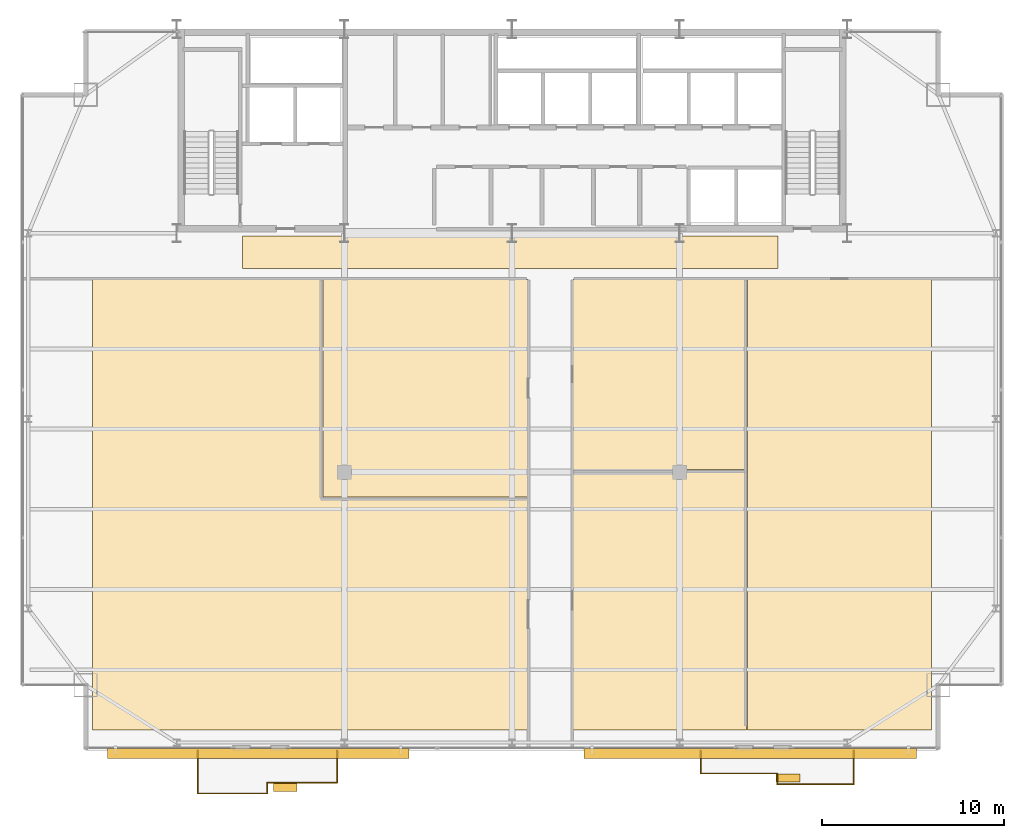
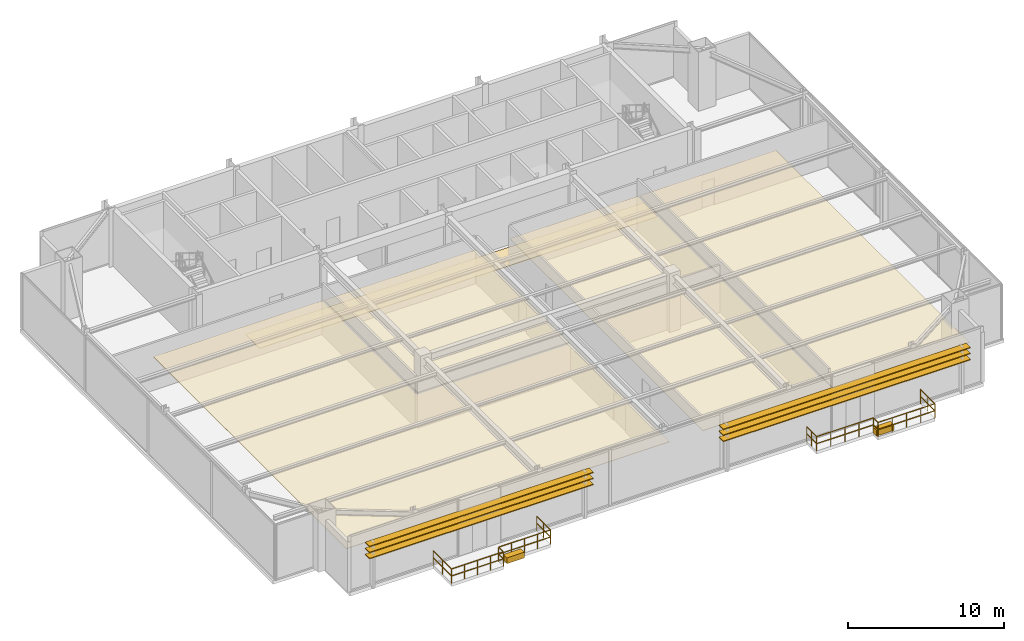
# One storey, part 24 of 25: 10 railings, 8 coverings, 6 shading devices.
"""IFC4 building model written with IfcOpenShell, lengths in metres."""

from ifc_helpers import new_model, si_unit, direction, frame, origin, origin_2d, place, context, subcontext, project, spatial, polyline, rectangle, outline, extrude, source, transform, mapped, material, layer, layer_set, type_object, type_shapes, element, save


model = new_model("IFC4")

# Units and contexts
model_context = context("Model", 3, precision=1e-05, world=origin(), true_north=direction((0.0, 1.0)))
body_context = subcontext(model_context, "Body", "Model", "MODEL_VIEW")
ifc_project = project(units=[si_unit("LENGTHUNIT", "METRE"), si_unit("AREAUNIT", "SQUARE_METRE"), si_unit("VOLUMEUNIT", "CUBIC_METRE"), si_unit("PLANEANGLEUNIT", "RADIAN"), si_unit("MASSUNIT", "GRAM", prefix="KILO")], contexts=[model_context])

# Site, building, storey
site_placement = place(None, origin())
site = spatial("IfcSite", under=ifc_project, at=site_placement, CompositionType="ELEMENT")
building_placement = place(site_placement, origin())
building = spatial("IfcBuilding", under=site, at=building_placement, Name="Varnel Quay Broadcast Tower", CompositionType="ELEMENT")
storey_placement = place(building_placement, frame((0.0, 0.0, 191.39990234375)))
storey = spatial("IfcBuildingStorey", under=building, at=storey_placement, Name="L47", CompositionType="ELEMENT", Elevation=191.39990234375)

# Coverings
ifc_material_1 = material(Name="Micro-Perforated Acoustic Ceiling Tile")
ifc_layer_1 = layer(ifc_material_1, 0.0400390625, Name="Micro-Perforated Acoustic Ceiling Tile")
ifc_layer_set_1 = layer_set([ifc_layer_1], Name="Micro-Perforated Acoustic Ceiling Tile")
covering_type_1 = type_object("IfcCoveringType", Name="Cov_AcousticCeiling", PredefinedType="CEILING", material=ifc_layer_set_1)
covering_1_placement = place(storey_placement, frame((0.0, 0.0, 2.580078125)))
element("IfcCovering", 1, at=covering_1_placement, inside=storey, type_object=covering_type_1, Name="L47 Mid-to-High Sky Transfer Hall Acoustic Ceiling", PredefinedType="CEILING", context=body_context, shape_type="SweptSolid", body=[
    extrude(outline(polyline([(10.985107421875, 8.324951171875), (34.864990234375, 8.324951171875), (34.864990234375, 21.06494140625), (23.56494140625, 21.06494140625), (23.56494140625, 33.06494140625), (10.985107421875, 33.06494140625), (10.985107421875, 8.324951171875)])), origin(), (0.0, 0.0, 1.0), 0.0400390625),
])
covering_2_placement = place(storey_placement, frame((0.0, 0.0, 2.580078125)))
element("IfcCovering", 2, at=covering_2_placement, inside=storey, type_object=covering_type_1, Name="L47 Executive Broadcast Forum Acoustic Ceiling", PredefinedType="CEILING", context=body_context, shape_type="SweptSolid", body=[
    extrude(outline(polyline([(23.635009765625, 21.135009765625), (34.864990234375, 21.135009765625), (34.864990234375, 33.06494140625), (23.635009765625, 33.06494140625), (23.635009765625, 21.135009765625)])), origin(), (0.0, 0.0, 1.0), 0.0400390625),
])
covering_3_placement = place(storey_placement, frame((0.0, 0.0, 2.580078125)))
element("IfcCovering", 3, at=covering_3_placement, inside=storey, type_object=covering_type_1, Name="L47 Correspondents' Sky Lounge Acoustic Ceiling", PredefinedType="CEILING", context=body_context, shape_type="SweptSolid", body=[
    extrude(outline(polyline([(37.3349609375, 8.324951171875), (46.864990234375, 8.324951171875), (46.864990234375, 22.56494140625), (37.3349609375, 22.56494140625), (37.3349609375, 8.324951171875)])), origin(), (0.0, 0.0, 1.0), 0.0400390625),
])
covering_4_placement = place(storey_placement, frame((0.0, 0.0, 2.580078125)))
element("IfcCovering", 4, at=covering_4_placement, inside=storey, type_object=covering_type_1, Name="L47 Sky Barista & Pantry Acoustic Ceiling", PredefinedType="CEILING", context=body_context, shape_type="SweptSolid", body=[
    extrude(outline(polyline([(37.3349609375, 22.635009765625), (46.864990234375, 22.635009765625), (46.864990234375, 33.06494140625), (37.3349609375, 33.06494140625), (37.3349609375, 22.635009765625)])), origin(), (0.0, 0.0, 1.0), 0.0400390625),
])
covering_5_placement = place(storey_placement, frame((0.0, 0.0, 2.580078125)))
element("IfcCovering", 5, at=covering_5_placement, inside=storey, type_object=covering_type_1, Name="L47 High-Zone Concierge Office Acoustic Ceiling", PredefinedType="CEILING", context=body_context, shape_type="SweptSolid", body=[
    extrude(outline(polyline([(46.93505859375, 8.324951171875), (57.014892578125, 8.324951171875), (57.014892578125, 33.06494140625), (46.93505859375, 33.06494140625), (46.93505859375, 8.324951171875)])), origin(), (0.0, 0.0, 1.0), 0.0400390625),
])
ifc_material_2 = material(Name="Polished Terrazzo & Broadcast Raised Flooring")
ifc_layer_2 = layer(ifc_material_2, 0.0400390625, Name="Polished Terrazzo & Broadcast Raised Flooring")
ifc_layer_set_2 = layer_set([ifc_layer_2], Name="Polished Terrazzo & Broadcast Raised Flooring")
covering_type_2 = type_object("IfcCoveringType", Name="Cov_TerrazzoFloor", PredefinedType="FLOORING", material=ifc_layer_set_2)
covering_6_placement = place(storey_placement, origin())
element("IfcCovering", 6, at=covering_6_placement, inside=storey, type_object=covering_type_2, Name="L47 Corridor Terrazzo Flooring", PredefinedType="FLOORING", context=body_context, shape_type="SweptSolid", body=[
    extrude(outline(polyline([(19.199951171875, 33.64990234375), (48.60009765625, 33.64990234375), (48.60009765625, 35.449951171875), (19.199951171875, 35.449951171875), (19.199951171875, 33.64990234375)])), origin(), (0.0, 0.0, 1.0), 0.0400390625),
])

# Railings
ifc_material_3 = material(Name="Anodised Bronze Aluminium 6063-T6", Category="aluminium")
railing_type = type_object("IfcRailingType", Name="Rail_Balustrade1150", PredefinedType="BALUSTRADE", material=ifc_material_3)
railing_1_placement = place(storey_placement, frame((16.75, 4.85009765625, 0.0)))
element("IfcRailing", 7, at=railing_1_placement, inside=storey, type_object=railing_type, Name="L47 Terrace 1 Guard 1", PredefinedType="BALUSTRADE", context=body_context, shape_type="SweptSolid", body=[
    extrude(rectangle(XDim=0.048095703125, YDim=0.048095703125, at=origin_2d()), frame((0.0, 0.0, 1.1259765625), z_axis=(1.0, 0.0, 0.0), x_axis=(0.0, 1.0, 0.0)), (0.0, 0.0, 1.0), 3.824951171875),
    extrude(rectangle(XDim=0.048095703125, YDim=0.048095703125, at=origin_2d()), frame((0.0, 0.0, 0.574951171875), z_axis=(1.0, 0.0, 0.0), x_axis=(0.0, 1.0, 0.0)), (0.0, 0.0, 1.0), 3.824951171875),
    extrude(rectangle(XDim=0.0419921875, YDim=0.0419921875, at=origin_2d()), origin(), (0.0, 0.0, 1.0), 1.101806640625),
    extrude(rectangle(XDim=0.0419921875, YDim=0.0419921875, at=origin_2d()), frame((0.956298828125, 0.0, 0.0)), (0.0, 0.0, 1.0), 1.101806640625),
    extrude(rectangle(XDim=0.0419921875, YDim=0.0419921875, at=origin_2d()), frame((1.91259765625, 0.0, 0.0)), (0.0, 0.0, 1.0), 1.101806640625),
    extrude(rectangle(XDim=0.0419921875, YDim=0.0419921875, at=origin_2d()), frame((2.86865234375, 0.0, 0.0)), (0.0, 0.0, 1.0), 1.101806640625),
    extrude(rectangle(XDim=0.0419921875, YDim=0.0419921875, at=origin_2d()), frame((3.824951171875, 0.0, 0.0)), (0.0, 0.0, 1.0), 1.101806640625),
])
railing_2_placement = place(storey_placement, frame((20.574951171875, 4.85009765625, 0.0)))
element("IfcRailing", 8, at=railing_2_placement, inside=storey, type_object=railing_type, Name="L47 Terrace 1 Guard 2", PredefinedType="BALUSTRADE", context=body_context, shape_type="SweptSolid", body=[
    extrude(rectangle(XDim=0.048095703125, YDim=0.048095703125, at=origin_2d()), frame((0.0, 0.0, 1.1259765625), z_axis=(0.0, 1.0, 0.0), x_axis=(-1.0, 0.0, 0.0)), (0.0, 0.0, 1.0), 0.599853515625),
    extrude(rectangle(XDim=0.048095703125, YDim=0.048095703125, at=origin_2d()), frame((0.0, 0.0, 0.574951171875), z_axis=(0.0, 1.0, 0.0), x_axis=(-1.0, 0.0, 0.0)), (0.0, 0.0, 1.0), 0.599853515625),
    extrude(rectangle(XDim=0.0419921875, YDim=0.0419921875, at=origin_2d()), origin(), (0.0, 0.0, 1.0), 1.101806640625),
    extrude(rectangle(XDim=0.0419921875, YDim=0.0419921875, at=origin_2d()), frame((0.0, 0.599853515625, 0.0)), (0.0, 0.0, 1.0), 1.101806640625),
])
railing_3_placement = place(storey_placement, frame((20.574951171875, 5.449951171875, 0.0)))
element("IfcRailing", 9, at=railing_3_placement, inside=storey, type_object=railing_type, Name="L47 Terrace 1 Guard 3", PredefinedType="BALUSTRADE", context=body_context, shape_type="SweptSolid", body=[
    extrude(rectangle(XDim=0.048095703125, YDim=0.048095703125, at=origin_2d()), frame((0.0, 0.0, 1.1259765625), z_axis=(1.0, 0.0, 0.0), x_axis=(0.0, 1.0, 0.0)), (0.0, 0.0, 1.0), 3.824951171875),
    extrude(rectangle(XDim=0.048095703125, YDim=0.048095703125, at=origin_2d()), frame((0.0, 0.0, 0.574951171875), z_axis=(1.0, 0.0, 0.0), x_axis=(0.0, 1.0, 0.0)), (0.0, 0.0, 1.0), 3.824951171875),
    extrude(rectangle(XDim=0.0419921875, YDim=0.0419921875, at=origin_2d()), origin(), (0.0, 0.0, 1.0), 1.101806640625),
    extrude(rectangle(XDim=0.0419921875, YDim=0.0419921875, at=origin_2d()), frame((0.956298828125, 0.0, 0.0)), (0.0, 0.0, 1.0), 1.101806640625),
    extrude(rectangle(XDim=0.0419921875, YDim=0.0419921875, at=origin_2d()), frame((1.91259765625, 0.0, 0.0)), (0.0, 0.0, 1.0), 1.101806640625),
    extrude(rectangle(XDim=0.0419921875, YDim=0.0419921875, at=origin_2d()), frame((2.86865234375, 0.0, 0.0)), (0.0, 0.0, 1.0), 1.101806640625),
    extrude(rectangle(XDim=0.0419921875, YDim=0.0419921875, at=origin_2d()), frame((3.824951171875, 0.0, 0.0)), (0.0, 0.0, 1.0), 1.101806640625),
])
railing_4_placement = place(storey_placement, frame((24.39990234375, 5.449951171875, 0.0)))
element("IfcRailing", 10, at=railing_4_placement, inside=storey, type_object=railing_type, Name="L47 Terrace 1 Guard 4", PredefinedType="BALUSTRADE", context=body_context, shape_type="SweptSolid", body=[
    extrude(rectangle(XDim=0.048095703125, YDim=0.048095703125, at=origin_2d()), frame((0.0, 0.0, 1.1259765625), z_axis=(0.0, 1.0, 0.0), x_axis=(-1.0, 0.0, 0.0)), (0.0, 0.0, 1.0), 1.75),
    extrude(rectangle(XDim=0.048095703125, YDim=0.048095703125, at=origin_2d()), frame((0.0, 0.0, 0.574951171875), z_axis=(0.0, 1.0, 0.0), x_axis=(-1.0, 0.0, 0.0)), (0.0, 0.0, 1.0), 1.75),
    extrude(rectangle(XDim=0.0419921875, YDim=0.0419921875, at=origin_2d()), origin(), (0.0, 0.0, 1.0), 1.101806640625),
    extrude(rectangle(XDim=0.0419921875, YDim=0.0419921875, at=origin_2d()), frame((0.0, 0.875, 0.0)), (0.0, 0.0, 1.0), 1.101806640625),
    extrude(rectangle(XDim=0.0419921875, YDim=0.0419921875, at=origin_2d()), frame((0.0, 1.75, 0.0)), (0.0, 0.0, 1.0), 1.101806640625),
])
railing_5_placement = place(storey_placement, frame((16.75, 7.199951171875, 0.0)))
element("IfcRailing", 11, at=railing_5_placement, inside=storey, type_object=railing_type, Name="L47 Terrace 1 Guard 6", PredefinedType="BALUSTRADE", context=body_context, shape_type="SweptSolid", body=[
    extrude(rectangle(XDim=0.048095703125, YDim=0.048095703125, at=origin_2d()), frame((0.0, 0.0, 1.1259765625), z_axis=(0.0, -1.0, 0.0), x_axis=(1.0, 0.0, 0.0)), (0.0, 0.0, 1.0), 2.349853515625),
    extrude(rectangle(XDim=0.048095703125, YDim=0.048095703125, at=origin_2d()), frame((0.0, 0.0, 0.574951171875), z_axis=(0.0, -1.0, 0.0), x_axis=(1.0, 0.0, 0.0)), (0.0, 0.0, 1.0), 2.349853515625),
    extrude(rectangle(XDim=0.0419921875, YDim=0.0419921875, at=origin_2d()), origin(), (0.0, 0.0, 1.0), 1.101806640625),
    extrude(rectangle(XDim=0.0419921875, YDim=0.0419921875, at=origin_2d()), frame((0.0, -1.1748046875, 0.0)), (0.0, 0.0, 1.0), 1.101806640625),
    extrude(rectangle(XDim=0.0419921875, YDim=0.0419921875, at=origin_2d()), frame((0.0, -2.349853515625, 0.0)), (0.0, 0.0, 1.0), 1.101806640625),
])
railing_6_placement = place(storey_placement, frame((44.35009765625, 5.949951171875, 0.0)))
element("IfcRailing", 12, at=railing_6_placement, inside=storey, type_object=railing_type, Name="L47 Terrace 2 Guard 1", PredefinedType="BALUSTRADE", context=body_context, shape_type="SweptSolid", body=[
    extrude(rectangle(XDim=0.048095703125, YDim=0.048095703125, at=origin_2d()), frame((0.0, 0.0, 1.1259765625), z_axis=(1.0, 0.0, 0.0), x_axis=(0.0, 1.0, 0.0)), (0.0, 0.0, 1.0), 4.199951171875),
    extrude(rectangle(XDim=0.048095703125, YDim=0.048095703125, at=origin_2d()), frame((0.0, 0.0, 0.574951171875), z_axis=(1.0, 0.0, 0.0), x_axis=(0.0, 1.0, 0.0)), (0.0, 0.0, 1.0), 4.199951171875),
    extrude(rectangle(XDim=0.0419921875, YDim=0.0419921875, at=origin_2d()), origin(), (0.0, 0.0, 1.0), 1.101806640625),
    extrude(rectangle(XDim=0.0419921875, YDim=0.0419921875, at=origin_2d()), frame((1.050048828125, 0.0, 0.0)), (0.0, 0.0, 1.0), 1.101806640625),
    extrude(rectangle(XDim=0.0419921875, YDim=0.0419921875, at=origin_2d()), frame((2.10009765625, 0.0, 0.0)), (0.0, 0.0, 1.0), 1.101806640625),
    extrude(rectangle(XDim=0.0419921875, YDim=0.0419921875, at=origin_2d()), frame((3.14990234375, 0.0, 0.0)), (0.0, 0.0, 1.0), 1.101806640625),
    extrude(rectangle(XDim=0.0419921875, YDim=0.0419921875, at=origin_2d()), frame((4.199951171875, 0.0, 0.0)), (0.0, 0.0, 1.0), 1.101806640625),
])
railing_7_placement = place(storey_placement, frame((48.550048828125, 5.949951171875, 0.0)))
element("IfcRailing", 13, at=railing_7_placement, inside=storey, type_object=railing_type, Name="L47 Terrace 2 Guard 2", PredefinedType="BALUSTRADE", context=body_context, shape_type="SweptSolid", body=[
    extrude(rectangle(XDim=0.048095703125, YDim=0.048095703125, at=origin_2d()), frame((0.0, 0.0, 1.1259765625), z_axis=(0.0, -1.0, 0.0), x_axis=(1.0, 0.0, 0.0)), (0.0, 0.0, 1.0), 0.599853515625),
    extrude(rectangle(XDim=0.048095703125, YDim=0.048095703125, at=origin_2d()), frame((0.0, 0.0, 0.574951171875), z_axis=(0.0, -1.0, 0.0), x_axis=(1.0, 0.0, 0.0)), (0.0, 0.0, 1.0), 0.599853515625),
    extrude(rectangle(XDim=0.0419921875, YDim=0.0419921875, at=origin_2d()), origin(), (0.0, 0.0, 1.0), 1.101806640625),
    extrude(rectangle(XDim=0.0419921875, YDim=0.0419921875, at=origin_2d()), frame((0.0, -0.599853515625, 0.0)), (0.0, 0.0, 1.0), 1.101806640625),
])
railing_8_placement = place(storey_placement, frame((48.550048828125, 5.35009765625, 0.0)))
element("IfcRailing", 14, at=railing_8_placement, inside=storey, type_object=railing_type, Name="L47 Terrace 2 Guard 3", PredefinedType="BALUSTRADE", context=body_context, shape_type="SweptSolid", body=[
    extrude(rectangle(XDim=0.048095703125, YDim=0.048095703125, at=origin_2d()), frame((0.0, 0.0, 1.1259765625), z_axis=(1.0, 0.0, 0.0), x_axis=(0.0, 1.0, 0.0)), (0.0, 0.0, 1.0), 4.199951171875),
    extrude(rectangle(XDim=0.048095703125, YDim=0.048095703125, at=origin_2d()), frame((0.0, 0.0, 0.574951171875), z_axis=(1.0, 0.0, 0.0), x_axis=(0.0, 1.0, 0.0)), (0.0, 0.0, 1.0), 4.199951171875),
    extrude(rectangle(XDim=0.0419921875, YDim=0.0419921875, at=origin_2d()), origin(), (0.0, 0.0, 1.0), 1.101806640625),
    extrude(rectangle(XDim=0.0419921875, YDim=0.0419921875, at=origin_2d()), frame((1.050048828125, 0.0, 0.0)), (0.0, 0.0, 1.0), 1.101806640625),
    extrude(rectangle(XDim=0.0419921875, YDim=0.0419921875, at=origin_2d()), frame((2.10009765625, 0.0, 0.0)), (0.0, 0.0, 1.0), 1.101806640625),
    extrude(rectangle(XDim=0.0419921875, YDim=0.0419921875, at=origin_2d()), frame((3.14990234375, 0.0, 0.0)), (0.0, 0.0, 1.0), 1.101806640625),
    extrude(rectangle(XDim=0.0419921875, YDim=0.0419921875, at=origin_2d()), frame((4.199951171875, 0.0, 0.0)), (0.0, 0.0, 1.0), 1.101806640625),
])
railing_9_placement = place(storey_placement, frame((52.75, 5.35009765625, 0.0)))
element("IfcRailing", 15, at=railing_9_placement, inside=storey, type_object=railing_type, Name="L47 Terrace 2 Guard 4", PredefinedType="BALUSTRADE", context=body_context, shape_type="SweptSolid", body=[
    extrude(rectangle(XDim=0.048095703125, YDim=0.048095703125, at=origin_2d()), frame((0.0, 0.0, 1.1259765625), z_axis=(0.0, 1.0, 0.0), x_axis=(-1.0, 0.0, 0.0)), (0.0, 0.0, 1.0), 1.849853515625),
    extrude(rectangle(XDim=0.048095703125, YDim=0.048095703125, at=origin_2d()), frame((0.0, 0.0, 0.574951171875), z_axis=(0.0, 1.0, 0.0), x_axis=(-1.0, 0.0, 0.0)), (0.0, 0.0, 1.0), 1.849853515625),
    extrude(rectangle(XDim=0.0419921875, YDim=0.0419921875, at=origin_2d()), origin(), (0.0, 0.0, 1.0), 1.101806640625),
    extrude(rectangle(XDim=0.0419921875, YDim=0.0419921875, at=origin_2d()), frame((0.0, 0.9248046875, 0.0)), (0.0, 0.0, 1.0), 1.101806640625),
    extrude(rectangle(XDim=0.0419921875, YDim=0.0419921875, at=origin_2d()), frame((0.0, 1.849853515625, 0.0)), (0.0, 0.0, 1.0), 1.101806640625),
])
railing_10_placement = place(storey_placement, frame((44.35009765625, 7.199951171875, 0.0)))
element("IfcRailing", 16, at=railing_10_placement, inside=storey, type_object=railing_type, Name="L47 Terrace 2 Guard 6", PredefinedType="BALUSTRADE", context=body_context, shape_type="SweptSolid", body=[
    extrude(rectangle(XDim=0.048095703125, YDim=0.048095703125, at=origin_2d()), frame((0.0, 0.0, 1.1259765625), z_axis=(0.0, -1.0, 0.0), x_axis=(1.0, 0.0, 0.0)), (0.0, 0.0, 1.0), 1.25),
    extrude(rectangle(XDim=0.048095703125, YDim=0.048095703125, at=origin_2d()), frame((0.0, 0.0, 0.574951171875), z_axis=(0.0, -1.0, 0.0), x_axis=(1.0, 0.0, 0.0)), (0.0, 0.0, 1.0), 1.25),
    extrude(rectangle(XDim=0.0419921875, YDim=0.0419921875, at=origin_2d()), origin(), (0.0, 0.0, 1.0), 1.101806640625),
    extrude(rectangle(XDim=0.0419921875, YDim=0.0419921875, at=origin_2d()), frame((0.0, -0.625, 0.0)), (0.0, 0.0, 1.0), 1.101806640625),
    extrude(rectangle(XDim=0.0419921875, YDim=0.0419921875, at=origin_2d()), frame((0.0, -1.25, 0.0)), (0.0, 0.0, 1.0), 1.101806640625),
])

# Coverings
ifc_material_4 = material(Name="Bronze-Terracotta Extruded Ceramic Blade", Category="masonry")
ifc_layer_3 = layer(ifc_material_4, 0.449951171875, Name="Bronze-Terracotta Extruded Ceramic Blade")
ifc_layer_set_3 = layer_set([ifc_layer_3], Name="Bronze-Terracotta Extruded Ceramic Blade")
covering_type_3 = type_object("IfcCoveringType", Name="Cov_BronzePlanter", PredefinedType="CLADDING", material=ifc_layer_set_3)
shared_shape_1 = source(origin(), body_context, "Body", "SweptSolid", [
    extrude(rectangle(XDim=1.300048828125, YDim=0.449951171875, at=origin_2d()), origin(), (0.0, 0.0, 1.0), 0.449951171875),
])
type_shapes(covering_type_3, [shared_shape_1])
for number, where, z_axis, x_axis, name in (
    (17, (21.550048828125, 5.199951171875, 0.0), (0.0, 0.0, 1.0), (1.0, 0.0, 0.0), "L47 Terrace 1 Bronze Planter"),
    (18, (49.14990234375, 5.699951171875, 0.0), (0.0, 0.0, 1.0), (1.0, 0.0, 0.0), "L47 Terrace 2 Bronze Planter"),
):
    element("IfcCovering", number, at=place(storey_placement, frame(where, z_axis=z_axis, x_axis=x_axis)), inside=storey, type_object=covering_type_3, Name=name, PredefinedType="CLADDING", context=body_context, shape_type="MappedRepresentation", body=[
        mapped(shared_shape_1, transform((0.0, 0.0, 0.0), x_axis=(1.0, 0.0, 0.0), y_axis=(0.0, 1.0, 0.0), z_axis=(0.0, 0.0, 1.0), scale=1.0)),
    ])

# Shading devices
ifc_layer_4 = layer(ifc_material_4, 0.06494140625, Name="Bronze-Terracotta Extruded Ceramic Blade")
ifc_layer_set_4 = layer_set([ifc_layer_4], Name="Bronze-Terracotta Extruded Ceramic Blade")
shading_device_type = type_object("IfcShadingDeviceType", Name="Shade_LouvreBlade550", PredefinedType="JALOUSIE", material=ifc_layer_set_4)
shared_shape_2 = source(origin(), body_context, "Body", "SweptSolid", [
    extrude(rectangle(XDim=18.256103515625, YDim=0.550048828125, at=origin_2d()), origin(), (0.0, 0.0, 1.0), 0.06494140625),
])
for number, where, z_axis, x_axis, name in (
    (19, (47.072021484375, 7.06005859375, 2.447509765625), (0.0, 0.0, 1.0), (1.0, 0.0, 0.0), "L47 Lobe 2 Horizontal Louvre Blade 1"),
    (20, (47.072021484375, 7.06005859375, 2.927734375), (0.0, 0.0, 1.0), (1.0, 0.0, 0.0), "L47 Lobe 2 Horizontal Louvre Blade 2"),
    (21, (47.072021484375, 7.06005859375, 3.3876953125), (0.0, 0.0, 1.0), (1.0, 0.0, 0.0), "L47 Lobe 2 Horizontal Louvre Blade 3"),
):
    element("IfcShadingDevice", number, at=place(storey_placement, frame(where, z_axis=z_axis, x_axis=x_axis)), inside=storey, type_object=shading_device_type, Name=name, PredefinedType="JALOUSIE", context=body_context, shape_type="MappedRepresentation", body=[
        mapped(shared_shape_2, transform((0.0, 0.0, 0.0), x_axis=(1.0, 0.0, 0.0), y_axis=(0.0, 1.0, 0.0), z_axis=(0.0, 0.0, 1.0), scale=1.0)),
    ])
shared_shape_3 = source(origin(), body_context, "Body", "SweptSolid", [
    extrude(rectangle(XDim=16.5439453125, YDim=0.550048828125, at=origin_2d()), origin(), (0.0, 0.0, 1.0), 0.06494140625),
])
type_shapes(shading_device_type, [shared_shape_2, shared_shape_3])
for number, where, z_axis, x_axis, name in (
    (22, (20.072021484375, 7.06005859375, 2.447509765625), (0.0, 0.0, 1.0), (1.0, 0.0, 0.0), "L47 Lobe 1 Horizontal Louvre Blade 1"),
    (23, (20.072021484375, 7.06005859375, 2.927734375), (0.0, 0.0, 1.0), (1.0, 0.0, 0.0), "L47 Lobe 1 Horizontal Louvre Blade 2"),
    (24, (20.072021484375, 7.06005859375, 3.3876953125), (0.0, 0.0, 1.0), (1.0, 0.0, 0.0), "L47 Lobe 1 Horizontal Louvre Blade 3"),
):
    element("IfcShadingDevice", number, at=place(storey_placement, frame(where, z_axis=z_axis, x_axis=x_axis)), inside=storey, type_object=shading_device_type, Name=name, PredefinedType="JALOUSIE", context=body_context, shape_type="MappedRepresentation", body=[
        mapped(shared_shape_3, transform((0.0, 0.0, 0.0), x_axis=(1.0, 0.0, 0.0), y_axis=(0.0, 1.0, 0.0), z_axis=(0.0, 0.0, 1.0), scale=1.0)),
    ])

save(model, "model.ifc")
